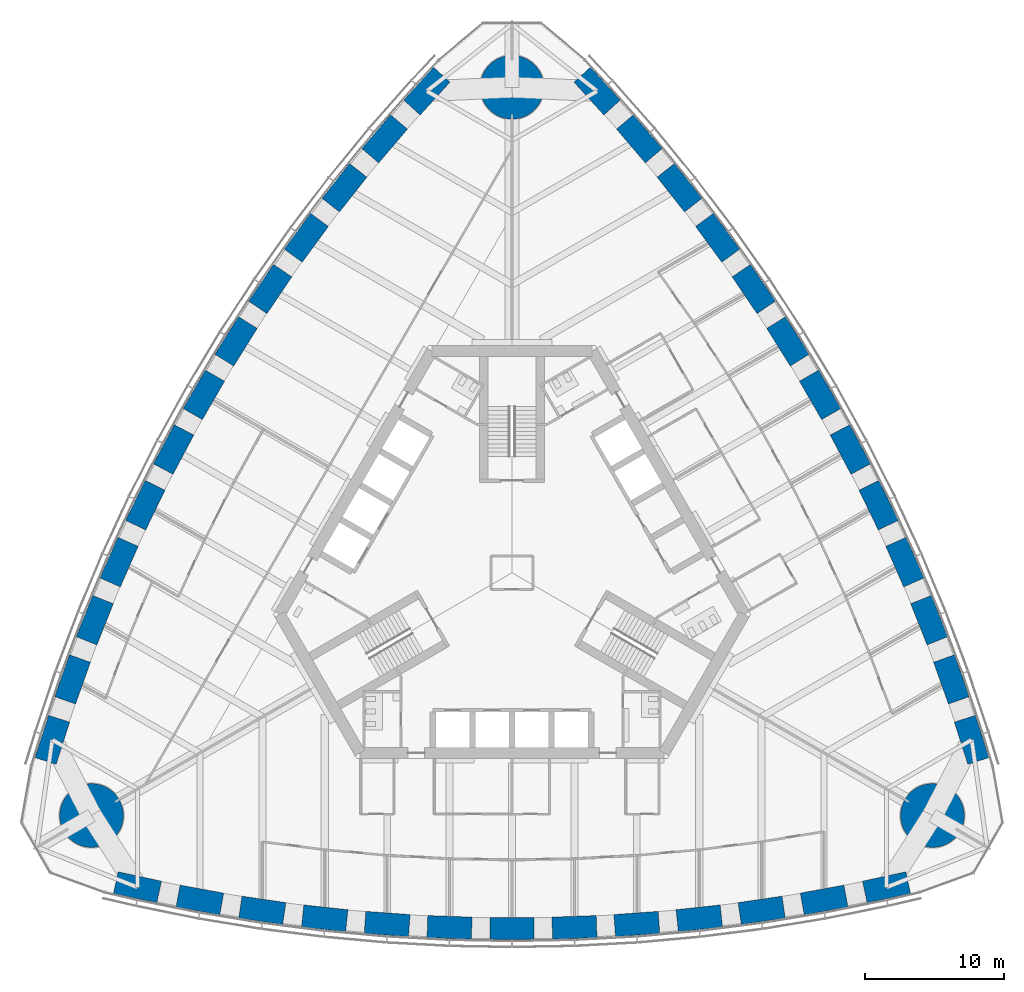
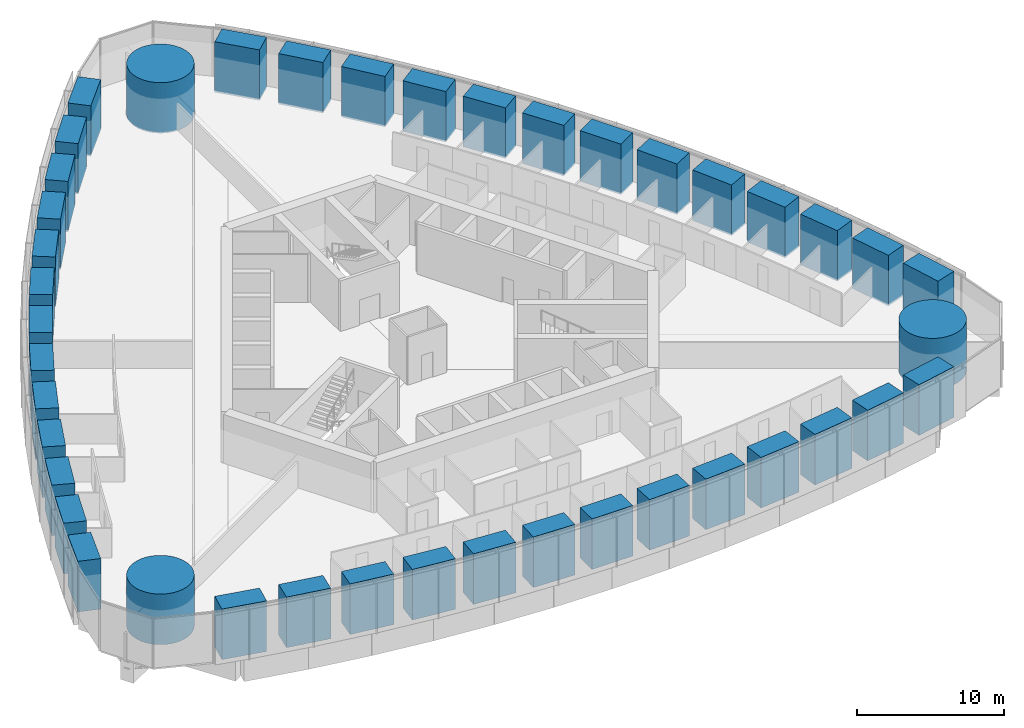
# One storey, part 1 of 20: 42 columns.
"""IFC4 building model written with IfcOpenShell, lengths in metres."""

from ifc_helpers import new_model, si_unit, direction, frame, origin, origin_2d, place, context, subcontext, project, spatial, rectangle, circle, extrude, material, material_profile, profile_set, type_object, element, save


model = new_model("IFC4")

# Units and contexts
model_context = context("Model", 3, precision=1e-05, world=origin(), true_north=direction((0.0, 1.0)))
body_context = subcontext(model_context, "Body", "Model", "MODEL_VIEW")
ifc_project = project(units=[si_unit("LENGTHUNIT", "METRE"), si_unit("AREAUNIT", "SQUARE_METRE"), si_unit("VOLUMEUNIT", "CUBIC_METRE"), si_unit("PLANEANGLEUNIT", "RADIAN"), si_unit("MASSUNIT", "GRAM", prefix="KILO")], contexts=[model_context])

# Site, building, storey
site_placement = place(None, origin())
site = spatial("IfcSite", under=ifc_project, at=site_placement, CompositionType="ELEMENT")
building_placement = place(site_placement, origin())
building = spatial("IfcBuilding", under=site, at=building_placement, Name="Trefoil Bronze Tower", CompositionType="ELEMENT")
storey_placement = place(building_placement, frame((0.0, 0.0, 103.10009765625)))
storey = spatial("IfcBuildingStorey", under=building, at=storey_placement, Name="L23", CompositionType="ELEMENT", Elevation=103.10009765625)

# Columns
ifc_material_1 = material(Name="Concrete B80", Category="concrete")
ifc_material_profile_1 = material_profile(ifc_material_1, circle(Radius=2.300048828125, at=origin_2d()), Name="RC D4600")
ifc_profile_set_1 = profile_set([ifc_material_profile_1], Name="Concrete B80")
column_type_1 = type_object("IfcColumnType", Name="Mega column RC D4600", PredefinedType="COLUMN", material=ifc_profile_set_1)
for number, where, z_axis, x_axis, name in (
    (1, (30.310791015625, -17.5, 0.0), (0.0, 0.0, 1.0), (1.0, 0.0, 0.0), "Mega column K1 L23"),
    (2, (0.0, 35.0, 0.0), (0.0, 0.0, 1.0), (1.0, 0.0, 0.0), "Mega column K2 L23"),
    (3, (-30.310791015625, -17.5, 0.0), (0.0, 0.0, 1.0), (1.0, 0.0, 0.0), "Mega column K3 L23"),
):
    element("IfcColumn", number, at=place(storey_placement, frame(where, z_axis=z_axis, x_axis=x_axis)), inside=storey, type_object=column_type_1, Name=name, PredefinedType="COLUMN", context=body_context, shape_type="SweptSolid", body=[
        extrude(circle(Radius=2.300048828125, at=origin_2d()), origin(), (0.0, 0.0, 1.0), 4.199951171875),
    ])
ifc_material_2 = material(Name="Concrete B80", Category="concrete")
ifc_material_profile_2 = material_profile(ifc_material_2, rectangle(XDim=3.199951171875, YDim=1.60009765625, at=origin_2d()), Name="RC 3200x1600")
ifc_profile_set_2 = profile_set([ifc_material_profile_2], Name="Concrete B80")
column_type_2 = type_object("IfcColumnType", Name="Tube column RC 3200x1600", PredefinedType="COLUMN", material=ifc_profile_set_2)
for number, where, z_axis, x_axis, name in (
    (4, (-27.0, -22.67724609375, 0.0), (0.0, 0.0, 1.0), (0.977276081214, -0.21197042503, 0.0), "Tube column F1/-6 L23"),
    (5, (-22.5, -23.592529296875, 0.0), (0.0, 0.0, 1.0), (0.98362250613, -0.180240853954, 0.0), "Tube column F1/-5 L23"),
    (6, (-18.0, -24.337158203125, 0.0), (0.0, 0.0, 1.0), (0.989549714366, -0.144192103798, 0.0), "Tube column F1/-4 L23"),
    (7, (-13.5, -24.9130859375, 0.0), (0.0, 0.0, 1.0), (0.994135267447, -0.108143747013, 0.0), "Tube column F1/-3 L23"),
    (8, (-9.0, -25.32275390625, 0.0), (0.0, 0.0, 1.0), (0.997397720802, -0.072095676284, 0.0), "Tube column F1/-2 L23"),
    (9, (-4.5, -25.568115234375, 0.0), (0.0, 0.0, 1.0), (0.999350067136, -0.036047792107, 0.0), "Tube column F1/-1 L23"),
    (10, (0.0, -25.649658203125, 0.0), (0.0, 0.0, 1.0), (1.0, 0.0, 0.0), "Tube column F1/+0 L23"),
    (11, (4.5, -25.568115234375, 0.0), (0.0, 0.0, 1.0), (0.999350067136, 0.036047792107, 0.0), "Tube column F1/+1 L23"),
    (12, (9.0, -25.32275390625, 0.0), (0.0, 0.0, 1.0), (0.997397720802, 0.072095676284, 0.0), "Tube column F1/+2 L23"),
    (13, (13.5, -24.9130859375, 0.0), (0.0, 0.0, 1.0), (0.994135267447, 0.108143747013, 0.0), "Tube column F1/+3 L23"),
    (14, (18.0, -24.337158203125, 0.0), (0.0, 0.0, 1.0), (0.989549714366, 0.144192103798, 0.0), "Tube column F1/+4 L23"),
    (15, (22.5, -23.592529296875, 0.0), (0.0, 0.0, 1.0), (0.98362250613, 0.180240853954, 0.0), "Tube column F1/+5 L23"),
    (16, (27.0, -22.67724609375, 0.0), (0.0, 0.0, 1.0), (0.977276081214, 0.21197042503, 0.0), "Tube column F1/+6 L23"),
    (17, (33.13916015625, -12.044189453125, 0.0), (0.0, 0.0, 1.0), (-0.30506626768, 0.952331125357, 0.0), "Tube column F2/-6 L23"),
    (18, (31.681884765625, -7.689208984375, 0.0), (0.0, 0.0, 1.0), (-0.335718094742, 0.94196250502, 0.0), "Tube column F2/-5 L23"),
    (19, (30.07666015625, -3.419921875, 0.0), (0.0, 0.0, 1.0), (-0.369900832269, 0.929071242848, 0.0), "Tube column F2/-4 L23"),
    (20, (28.325439453125, 0.76513671875, 0.0), (0.0, 0.0, 1.0), (-0.40341240155, 0.915018269914, 0.0), "Tube column F2/-3 L23"),
    (21, (26.43017578125, 4.8671875, 0.0), (0.0, 0.0, 1.0), (-0.436262173236, 0.899819602033, 0.0), "Tube column F2/-2 L23"),
    (22, (24.392578125, 8.886962890625, 0.0), (0.0, 0.0, 1.0), (-0.468456729853, 0.883486441467, 0.0), "Tube column F2/-1 L23"),
    (23, (22.21337890625, 12.824951171875, 0.0), (0.0, 0.0, 1.0), (-0.5, 0.866025403784, 0.0), "Tube column F2/+0 L23"),
    (24, (19.892578125, 16.68115234375, 0.0), (0.0, 0.0, 1.0), (-0.530893337283, 0.84743864936, 0.0), "Tube column F2/+1 L23"),
    (25, (17.43017578125, 20.45556640625, 0.0), (0.0, 0.0, 1.0), (-0.561135547566, 0.827723925749, 0.0), "Tube column F2/+2 L23"),
    (26, (14.825439453125, 24.14794921875, 0.0), (0.0, 0.0, 1.0), (-0.590722865897, 0.806874522901, 0.0), "Tube column F2/+3 L23"),
    (27, (12.07666015625, 27.757080078125, 0.0), (0.0, 0.0, 1.0), (-0.619648882098, 0.78487913905, 0.0), "Tube column F2/+4 L23"),
    (28, (9.181884765625, 31.281982421875, 0.0), (0.0, 0.0, 1.0), (-0.647904411389, 0.761721651066, 0.0), "Tube column F2/+5 L23"),
    (29, (6.13916015625, 34.72119140625, 0.0), (0.0, 0.0, 1.0), (-0.672209813534, 0.740360700327, 0.0), "Tube column F2/+6 L23"),
    (30, (-6.13916015625, 34.72119140625, 0.0), (0.0, 0.0, 1.0), (-0.672209813534, -0.740360700327, 0.0), "Tube column F3/-6 L23"),
    (31, (-9.181884765625, 31.281982421875, 0.0), (0.0, 0.0, 1.0), (-0.647904411389, -0.761721651066, 0.0), "Tube column F3/-5 L23"),
    (32, (-12.07666015625, 27.757080078125, 0.0), (0.0, 0.0, 1.0), (-0.619648882098, -0.78487913905, 0.0), "Tube column F3/-4 L23"),
    (33, (-14.825439453125, 24.14794921875, 0.0), (0.0, 0.0, 1.0), (-0.590722865897, -0.806874522901, 0.0), "Tube column F3/-3 L23"),
    (34, (-17.43017578125, 20.45556640625, 0.0), (0.0, 0.0, 1.0), (-0.561135547566, -0.827723925749, 0.0), "Tube column F3/-2 L23"),
    (35, (-19.892578125, 16.68115234375, 0.0), (0.0, 0.0, 1.0), (-0.530893337283, -0.84743864936, 0.0), "Tube column F3/-1 L23"),
    (36, (-22.21337890625, 12.824951171875, 0.0), (0.0, 0.0, 1.0), (-0.5, -0.866025403784, 0.0), "Tube column F3/+0 L23"),
    (37, (-24.392578125, 8.886962890625, 0.0), (0.0, 0.0, 1.0), (-0.468456729853, -0.883486441467, 0.0), "Tube column F3/+1 L23"),
    (38, (-26.43017578125, 4.8671875, 0.0), (0.0, 0.0, 1.0), (-0.436262173236, -0.899819602033, 0.0), "Tube column F3/+2 L23"),
    (39, (-28.325439453125, 0.76513671875, 0.0), (0.0, 0.0, 1.0), (-0.40341240155, -0.915018269914, 0.0), "Tube column F3/+3 L23"),
    (40, (-30.07666015625, -3.419921875, 0.0), (0.0, 0.0, 1.0), (-0.369900832269, -0.929071242848, 0.0), "Tube column F3/+4 L23"),
    (41, (-31.681884765625, -7.689208984375, 0.0), (0.0, 0.0, 1.0), (-0.335718094742, -0.94196250502, 0.0), "Tube column F3/+5 L23"),
    (42, (-33.13916015625, -12.044189453125, 0.0), (0.0, 0.0, 1.0), (-0.30506626768, -0.952331125357, 0.0), "Tube column F3/+6 L23"),
):
    element("IfcColumn", number, at=place(storey_placement, frame(where, z_axis=z_axis, x_axis=x_axis)), inside=storey, type_object=column_type_2, Name=name, PredefinedType="COLUMN", context=body_context, shape_type="SweptSolid", body=[
        extrude(rectangle(XDim=3.199951171875, YDim=1.60009765625, at=origin_2d()), origin(), (0.0, 0.0, 1.0), 4.199951171875),
    ])

save(model, "model.ifc")
